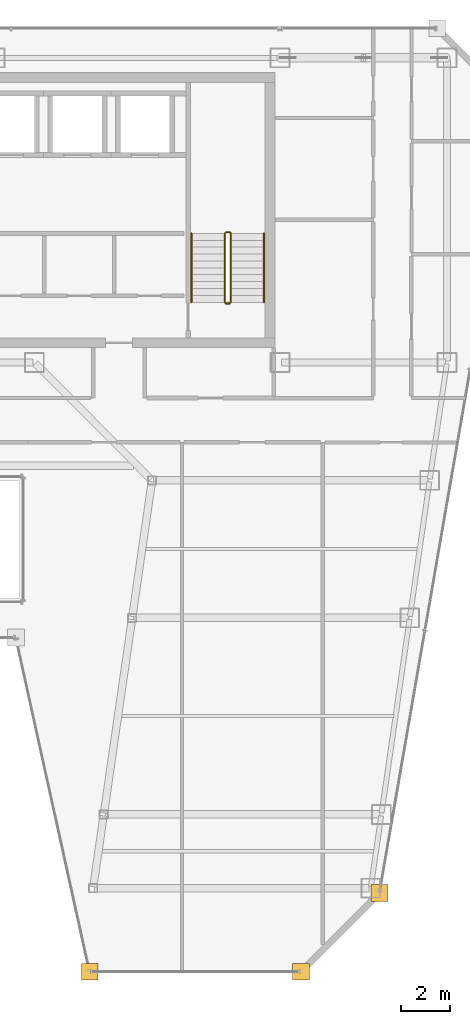
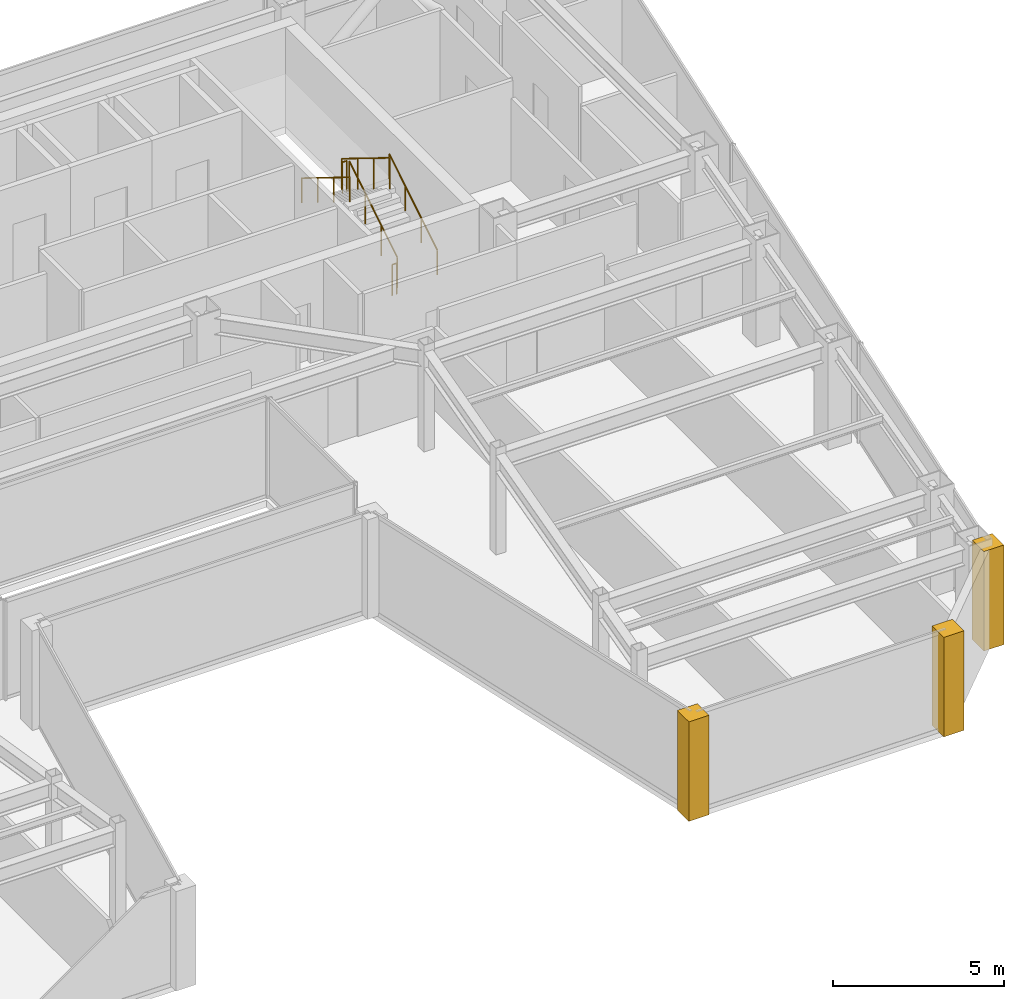
# One storey, part 32 of 33: 6 railings, 3 coverings.
"""IFC4 building model written with IfcOpenShell, lengths in metres."""

from ifc_helpers import new_model, si_unit, direction, frame, origin, origin_2d, place, context, subcontext, project, spatial, polyline, circle, outline, extrude, material, layer, layer_set, type_object, element, save


model = new_model("IFC4")

# Units and contexts
model_context = context("Model", 3, precision=1e-05, world=origin(), true_north=direction((0.0, 1.0)))
body_context = subcontext(model_context, "Body", "Model", "MODEL_VIEW")
ifc_project = project(units=[si_unit("LENGTHUNIT", "METRE"), si_unit("AREAUNIT", "SQUARE_METRE"), si_unit("VOLUMEUNIT", "CUBIC_METRE"), si_unit("PLANEANGLEUNIT", "RADIAN"), si_unit("MASSUNIT", "GRAM", prefix="KILO")], contexts=[model_context])

# Site, building, storey
site_placement = place(None, origin())
site = spatial("IfcSite", under=ifc_project, at=site_placement, CompositionType="ELEMENT")
building_placement = place(site_placement, origin())
building = spatial("IfcBuilding", under=site, at=building_placement, Name="Saevonmaru Cultural Tower", CompositionType="ELEMENT")
storey_placement = place(building_placement, frame((0.0, 0.0, 238.199951171875)))
storey = spatial("IfcBuildingStorey", under=building, at=storey_placement, Name="L55", CompositionType="ELEMENT", Elevation=238.199951171875)

# Coverings
ifc_material_1 = material(Name="Satin Bronze Anodised Aluminium", Category="aluminium")
ifc_layer = layer(ifc_material_1, 0.679931640625, Name="Satin Bronze Anodised Aluminium")
ifc_layer_set = layer_set([ifc_layer], Name="Satin Bronze Anodised Aluminium")
covering_type = type_object("IfcCoveringType", Name="CV-CORNER-CLAD", PredefinedType="CLADDING", material=ifc_layer_set)
covering_1_placement = place(storey_placement, origin())
element("IfcCovering", 1, at=covering_1_placement, inside=storey, type_object=covering_type, Name="L55 Tower Bronze Corner Cladding Pier 6", PredefinedType="CLADDING", context=body_context, shape_type="SweptSolid", body=[
    extrude(outline(polyline([(38.31298828125, 17.260009765625), (38.992919921875, 17.260009765625), (38.992919921875, 17.93994140625), (38.31298828125, 17.93994140625), (38.31298828125, 17.260009765625)])), origin(), (0.0, 0.0, 1.0), 3.550048828125),
])
covering_2_placement = place(storey_placement, origin())
element("IfcCovering", 2, at=covering_2_placement, inside=storey, type_object=covering_type, Name="L55 Tower Bronze Corner Cladding Pier 7", PredefinedType="CLADDING", context=body_context, shape_type="SweptSolid", body=[
    extrude(outline(polyline([(46.9130859375, 17.260009765625), (47.593017578125, 17.260009765625), (47.593017578125, 17.93994140625), (46.9130859375, 17.93994140625), (46.9130859375, 17.260009765625)])), origin(), (0.0, 0.0, 1.0), 3.550048828125),
])
covering_3_placement = place(storey_placement, origin())
element("IfcCovering", 3, at=covering_3_placement, inside=storey, type_object=covering_type, Name="L55 Tower Bronze Corner Cladding Pier 8", PredefinedType="CLADDING", context=body_context, shape_type="SweptSolid", body=[
    extrude(outline(polyline([(50.113037109375, 20.4599609375), (50.79296875, 20.4599609375), (50.79296875, 21.139892578125), (50.113037109375, 21.139892578125), (50.113037109375, 20.4599609375)])), origin(), (0.0, 0.0, 1.0), 3.550048828125),
])

# Railings
ifc_material_2 = material(Name="Architectural Painted Steel", Category="steel")
railing_type_1 = type_object("IfcRailingType", Name="RL-STAIR-GUARD", PredefinedType="GUARDRAIL", material=ifc_material_2)
railing_1_placement = place(storey_placement, frame((44.39990234375, 44.85009765625, 0.1728515625)))
element("IfcRailing", 4, at=railing_1_placement, inside=storey, type_object=railing_type_1, Name="L55 ST-2 stair guard 1", PredefinedType="GUARDRAIL", context=body_context, shape_type="SweptSolid", body=[
    extrude(circle(Radius=0.02392578125, at=origin_2d()), frame((0.0, 0.0, 1.09619140625), z_axis=(0.0, 0.851069175582, 0.525053576669), x_axis=(-1.0, 0.0, 0.0)), (0.0, 0.0, 1.0), 3.289794921875),
    extrude(circle(Radius=0.02099609375, at=origin_2d()), origin(), (0.0, 0.0, 1.0), 1.072021484375),
    extrude(circle(Radius=0.02099609375, at=origin_2d()), frame((0.0, 0.933349609375, 0.57568359375)), (0.0, 0.0, 1.0), 1.072021484375),
    extrude(circle(Radius=0.02099609375, at=origin_2d()), frame((0.0, 1.866455078125, 1.151611328125)), (0.0, 0.0, 1.0), 1.072021484375),
    extrude(circle(Radius=0.02099609375, at=origin_2d()), frame((0.0, 2.7998046875, 1.727294921875)), (0.0, 0.0, 1.0), 1.072021484375),
])
railing_2_placement = place(storey_placement, frame((44.35009765625, 47.699951171875, 1.900146484375)))
element("IfcRailing", 5, at=railing_2_placement, inside=storey, type_object=railing_type_1, Name="L55 ST-2 stair guard 2", PredefinedType="GUARDRAIL", context=body_context, shape_type="SweptSolid", body=[
    extrude(circle(Radius=0.02392578125, at=origin_2d()), frame((0.0, 0.0, 1.09619140625), z_axis=(-1.0, 0.0, 0.0), x_axis=(0.0, -1.0, 0.0)), (0.0, 0.0, 1.0), 0.150146484375),
    extrude(circle(Radius=0.02099609375, at=origin_2d()), origin(), (0.0, 0.0, 1.0), 1.072021484375),
    extrude(circle(Radius=0.02099609375, at=origin_2d()), frame((-0.150146484375, 0.0, 0.0)), (0.0, 0.0, 1.0), 1.072021484375),
])
railing_3_placement = place(storey_placement, frame((44.14990234375, 47.64990234375, 2.07275390625)))
element("IfcRailing", 6, at=railing_3_placement, inside=storey, type_object=railing_type_1, Name="L55 ST-2 stair guard 3", PredefinedType="GUARDRAIL", context=body_context, shape_type="SweptSolid", body=[
    extrude(circle(Radius=0.02392578125, at=origin_2d()), frame((0.0, 0.0, 1.09619140625), z_axis=(0.0, -0.851069175582, 0.525053576669), x_axis=(1.0, 0.0, 0.0)), (0.0, 0.0, 1.0), 3.289794921875),
    extrude(circle(Radius=0.02099609375, at=origin_2d()), origin(), (0.0, 0.0, 1.0), 1.072021484375),
    extrude(circle(Radius=0.02099609375, at=origin_2d()), frame((0.0, -0.933349609375, 0.57568359375)), (0.0, 0.0, 1.0), 1.072021484375),
    extrude(circle(Radius=0.02099609375, at=origin_2d()), frame((0.0, -1.866455078125, 1.151611328125)), (0.0, 0.0, 1.0), 1.072021484375),
    extrude(circle(Radius=0.02099609375, at=origin_2d()), frame((0.0, -2.7998046875, 1.727294921875)), (0.0, 0.0, 1.0), 1.072021484375),
])
railing_4_placement = place(storey_placement, frame((44.35009765625, 44.800048828125, 0.0)))
element("IfcRailing", 7, at=railing_4_placement, inside=storey, type_object=railing_type_1, Name="L55 ST-2 stair guard 4", PredefinedType="GUARDRAIL", context=body_context, shape_type="SweptSolid", body=[
    extrude(circle(Radius=0.02392578125, at=origin_2d()), frame((0.0, 0.0, 1.09619140625), z_axis=(-1.0, 0.0, 0.0), x_axis=(0.0, -1.0, 0.0)), (0.0, 0.0, 1.0), 0.150146484375),
    extrude(circle(Radius=0.02099609375, at=origin_2d()), origin(), (0.0, 0.0, 1.0), 1.072021484375),
    extrude(circle(Radius=0.02099609375, at=origin_2d()), frame((-0.150146484375, 0.0, 0.0)), (0.0, 0.0, 1.0), 1.072021484375),
])
railing_type_2 = type_object("IfcRailingType", Name="RL-STAIR-HANDRAIL", PredefinedType="HANDRAIL", material=ifc_material_1)
railing_5_placement = place(storey_placement, frame((45.75, 44.85009765625, 0.1728515625)))
element("IfcRailing", 8, at=railing_5_placement, inside=storey, type_object=railing_type_2, Name="L55 ST-2 stair handrail 1", PredefinedType="HANDRAIL", context=body_context, shape_type="SweptSolid", body=[
    extrude(circle(Radius=0.02392578125, at=origin_2d()), frame((0.0, 0.0, 0.8759765625), z_axis=(0.0, 0.851069175582, 0.525053576669), x_axis=(-1.0, 0.0, 0.0)), (0.0, 0.0, 1.0), 3.289794921875),
    extrude(circle(Radius=0.02099609375, at=origin_2d()), origin(), (0.0, 0.0, 1.0), 0.851806640625),
    extrude(circle(Radius=0.02099609375, at=origin_2d()), frame((0.0, 0.933349609375, 0.57568359375)), (0.0, 0.0, 1.0), 0.851806640625),
    extrude(circle(Radius=0.02099609375, at=origin_2d()), frame((0.0, 1.866455078125, 1.151611328125)), (0.0, 0.0, 1.0), 0.851806640625),
    extrude(circle(Radius=0.02099609375, at=origin_2d()), frame((0.0, 2.7998046875, 1.727294921875)), (0.0, 0.0, 1.0), 0.851806640625),
])
railing_6_placement = place(storey_placement, frame((42.800048828125, 47.64990234375, 2.07275390625)))
element("IfcRailing", 9, at=railing_6_placement, inside=storey, type_object=railing_type_2, Name="L55 ST-2 stair handrail 2", PredefinedType="HANDRAIL", context=body_context, shape_type="SweptSolid", body=[
    extrude(circle(Radius=0.02392578125, at=origin_2d()), frame((0.0, 0.0, 0.8759765625), z_axis=(0.0, -0.851069175582, 0.525053576669), x_axis=(1.0, 0.0, 0.0)), (0.0, 0.0, 1.0), 3.289794921875),
    extrude(circle(Radius=0.02099609375, at=origin_2d()), origin(), (0.0, 0.0, 1.0), 0.851806640625),
    extrude(circle(Radius=0.02099609375, at=origin_2d()), frame((0.0, -0.933349609375, 0.57568359375)), (0.0, 0.0, 1.0), 0.851806640625),
    extrude(circle(Radius=0.02099609375, at=origin_2d()), frame((0.0, -1.866455078125, 1.151611328125)), (0.0, 0.0, 1.0), 0.851806640625),
    extrude(circle(Radius=0.02099609375, at=origin_2d()), frame((0.0, -2.7998046875, 1.727294921875)), (0.0, 0.0, 1.0), 0.851806640625),
])

save(model, "model.ifc")
